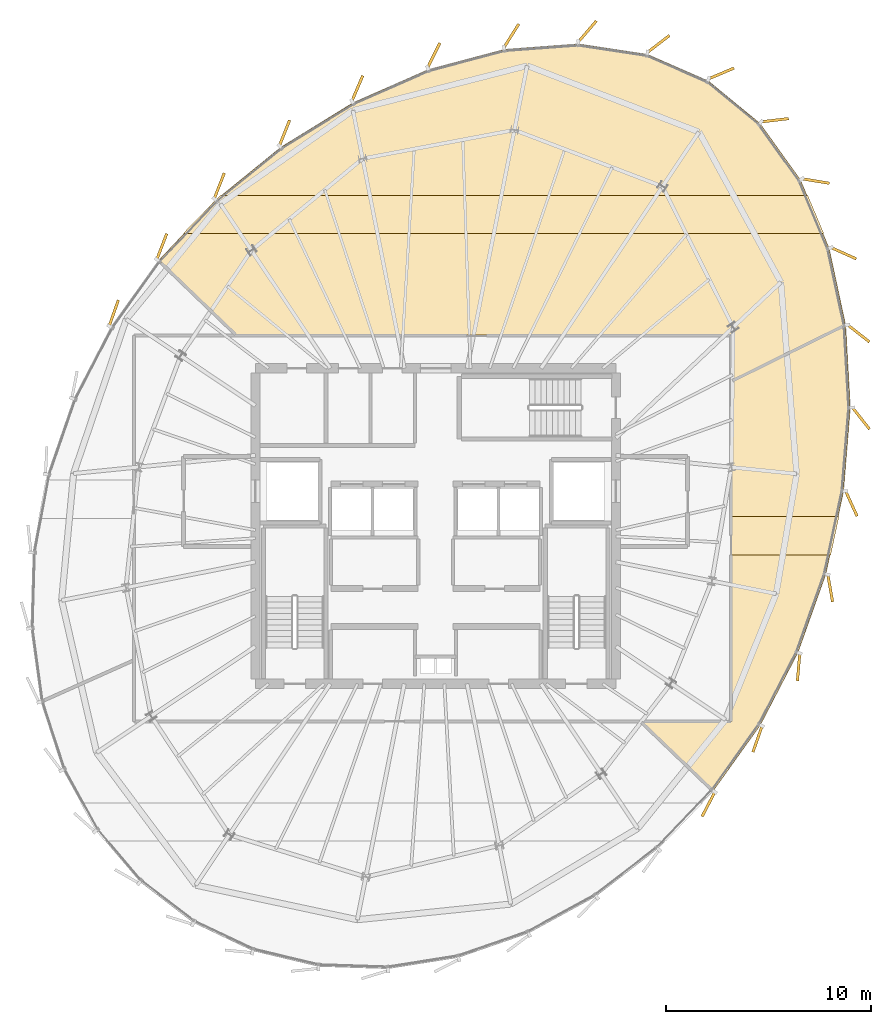
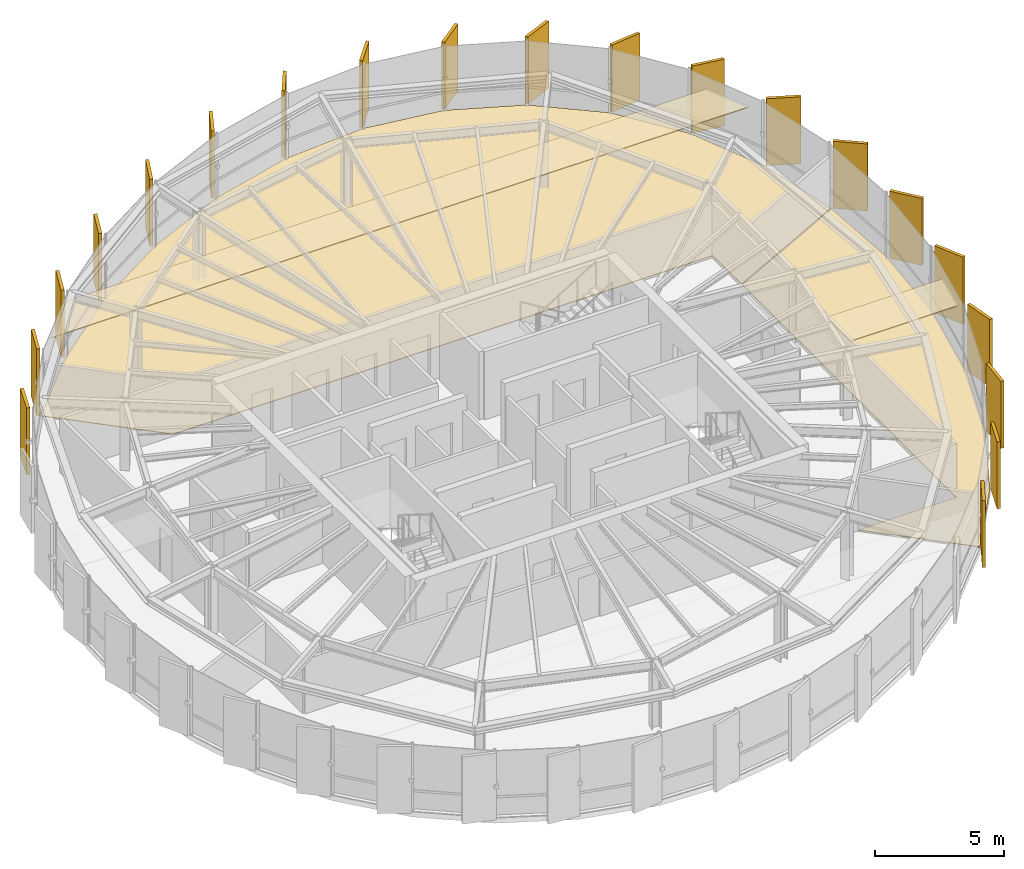
# One storey, part 31 of 31: 24 coverings.
"""IFC4 building model written with IfcOpenShell, lengths in metres."""

from ifc_helpers import new_model, si_unit, direction, frame, origin, origin_2d, place, context, subcontext, project, spatial, polyline, rectangle, outline, extrude, source, transform, mapped, material, layer, layer_set, type_object, element, save


model = new_model("IFC4")

# Units and contexts
model_context = context("Model", 3, precision=1e-05, world=origin(), true_north=direction((0.0, 1.0)))
body_context = subcontext(model_context, "Body", "Model", "MODEL_VIEW")
ifc_project = project(units=[si_unit("LENGTHUNIT", "METRE"), si_unit("AREAUNIT", "SQUARE_METRE"), si_unit("VOLUMEUNIT", "CUBIC_METRE"), si_unit("PLANEANGLEUNIT", "RADIAN"), si_unit("MASSUNIT", "GRAM", prefix="KILO"), si_unit("THERMODYNAMICTEMPERATUREUNIT", "KELVIN")], contexts=[model_context])

# Site, building, storey
site_placement = place(None, origin())
site = spatial("IfcSite", under=ifc_project, at=site_placement, CompositionType="ELEMENT")
building_placement = place(site_placement, origin())
building = spatial("IfcBuilding", under=site, at=building_placement, Name="Kethvar Cultural Tower", CompositionType="ELEMENT")
storey_placement = place(building_placement, frame((0.0, 0.0, 269.800048828125)))
storey = spatial("IfcBuildingStorey", under=building, at=storey_placement, Name="L71", CompositionType="ELEMENT", Elevation=269.800048828125)

# Coverings
ifc_material_1 = material(Name="Acoustic Mineral Fibre Ceiling")
ifc_layer_1 = layer(ifc_material_1, 0.0400390625, Name="Acoustic Mineral Fibre Ceiling")
ifc_layer_set_1 = layer_set([ifc_layer_1], Name="Acoustic Mineral Fibre Ceiling (40 mm)")
covering_type_1 = type_object("IfcCoveringType", Name="CV-ACOUSTIC-CEIL", PredefinedType="CEILING", material=ifc_layer_set_1)
covering_1_placement = place(storey_placement, frame((0.0, 0.0, 2.449951171875)))
element("IfcCovering", 1, at=covering_1_placement, inside=storey, type_object=covering_type_1, Name="L71 Room 02 Acoustic Ceiling Panel", PredefinedType="CEILING", context=body_context, shape_type="SweptSolid", body=[
    extrude(outline(polyline([(66.088134765625, 26.395263671875), (61.2060546875, 26.395263671875), (61.2060546875, 28.26513671875), (66.488525390625, 28.26513671875), (66.088134765625, 26.395263671875)])), origin(), (0.0, 0.0, 1.0), 0.0400390625),
])
covering_2_placement = place(storey_placement, frame((0.0, 0.0, 2.449951171875)))
element("IfcCovering", 2, at=covering_2_placement, inside=storey, type_object=covering_type_1, Name="L71 Room 03 Acoustic Ceiling Panel", PredefinedType="CEILING", context=body_context, shape_type="SweptSolid", body=[
    extrude(outline(polyline([(65.74755859375, 42.075927734375), (34.466796875, 42.075927734375), (36.296630859375, 43.946044921875), (64.962646484375, 43.946044921875), (65.74755859375, 42.075927734375)])), origin(), (0.0, 0.0, 1.0), 0.0400390625),
])
ifc_material_2 = material(Name="Architectural Oak Timber", Category="wood")
ifc_layer_2 = layer(ifc_material_2, 0.02490234375, Name="Architectural Oak Timber", Category="wood")
ifc_layer_set_2 = layer_set([ifc_layer_2], Name="Architectural Oak Timber (25 mm)")
covering_type_2 = type_object("IfcCoveringType", Name="CV-OAK-FLOOR", PredefinedType="FLOORING", material=ifc_layer_set_2)
covering_3_placement = place(storey_placement, origin())
element("IfcCovering", 3, at=covering_3_placement, inside=storey, type_object=covering_type_2, Name="L71 Room 02 Floor Finish", PredefinedType="FLOORING", context=body_context, shape_type="SweptSolid", body=[
    extrude(outline(polyline([(67.041015625, 33.583251953125), (66.7080078125, 29.481689453125), (65.84521484375, 25.4521484375), (64.4833984375, 21.624267578125), (62.64794921875, 18.08837890625), (60.36181640625, 14.8955078125), (56.844970703125, 18.2490234375), (61.2451171875, 18.26318359375), (61.24609375, 34.845703125), (66.81591796875, 37.57080078125), (67.041015625, 33.583251953125)])), origin(), (0.0, 0.0, 1.0), 0.02490234375),
])
covering_4_placement = place(storey_placement, origin())
element("IfcCovering", 4, at=covering_4_placement, inside=storey, type_object=covering_type_2, Name="L71 Room 03 Floor Finish", PredefinedType="FLOORING", context=body_context, shape_type="SweptSolid", body=[
    extrude(outline(polyline([(64.60498046875, 44.6943359375), (66.0048828125, 41.359375), (66.811279296875, 37.61328125), (61.24609375, 34.890380859375), (61.22802734375, 37.119873046875), (37.091064453125, 37.1201171875), (33.281982421875, 40.765625), (36.0615234375, 43.70361328125), (39.260498046875, 46.3017578125), (42.763671875, 48.46044921875), (46.445068359375, 50.081787109375), (50.16259765625, 51.067626953125), (53.76953125, 51.33447265625), (57.126708984375, 50.825439453125), (60.11181640625, 49.523193359375), (62.627685546875, 47.45458984375), (64.60498046875, 44.6943359375)])), origin(), (0.0, 0.0, 1.0), 0.02490234375),
])
ifc_material_3 = material(Name="Extruded Architectural Terracotta", Category="masonry")
ifc_layer_3 = layer(ifc_material_3, 0.135009765625, Name="Extruded Architectural Terracotta", Category="masonry")
ifc_layer_set_3 = layer_set([ifc_layer_3], Name="Extruded Architectural Terracotta (135 mm)")
covering_type_3 = type_object("IfcCoveringType", Name="Terracotta Facade Fin FIN-03", PredefinedType="CLADDING", material=ifc_layer_set_3)
shared_shape = source(origin(), body_context, "Body", "SweptSolid", [
    extrude(rectangle(XDim=1.35009765625, YDim=0.135009765625, at=origin_2d()), origin(), (0.0, 0.0, 1.0), 3.169921875),
])
for number, where, z_axis, x_axis, name in (
    (5, (60.7431640625, 49.891357421875, 0.02001953125), (0.0, 0.0, 1.0), (0.920709313603, 0.390249099737, 0.0), "L71 Vertical Terracotta Fin 1.1"),
    (6, (57.679443359375, 51.33544921875, 0.02001953125), (0.0, 0.0, 1.0), (0.792715411925, 0.609591892741, 0.0), "L71 Vertical Terracotta Fin 1.2"),
    (7, (54.204833984375, 51.94580078125, 0.02001953125), (0.0, 0.0, 1.0), (0.652363002904, 0.75790666473, 0.0), "L71 Vertical Terracotta Fin 1.3"),
    (8, (50.497802734375, 51.736083984375, 0.02001953125), (0.0, 0.0, 1.0), (0.532285391986, 0.846564977706, 0.0), "L71 Vertical Terracotta Fin 1.4"),
    (9, (46.707275390625, 50.778076171875, 0.02001953125), (0.0, 0.0, 1.0), (0.445885394908, 0.895090059495, 0.0), "L71 Vertical Terracotta Fin 1.5"),
    (10, (42.978515625, 49.166748046875, 0.02001953125), (0.0, 0.0, 1.0), (0.393941909591, 0.919135339255, 0.0), "L71 Vertical Terracotta Fin 1.6"),
    (11, (39.42138671875, 46.984375, 0.02001953125), (0.0, 0.0, 1.0), (0.371691915613, 0.928356138488, 0.0), "L71 Vertical Terracotta Fin 2.1"),
    (12, (36.236083984375, 44.401611328125, 0.02001953125), (0.0, 0.0, 1.0), (0.364714278886, 0.931119484694, 0.0), "L71 Vertical Terracotta Fin 2.2"),
    (13, (33.43115234375, 41.44140625, 0.02001953125), (0.0, 0.0, 1.0), (0.359345396006, 0.933204632634, 0.0), "L71 Vertical Terracotta Fin 2.3"),
    (14, (31.088134765625, 38.195556640625, 0.02001953125), (0.0, 0.0, 1.0), (0.331996503416, 0.943280616635, 0.0), "L71 Vertical Terracotta Fin 2.4"),
    (15, (60.116943359375, 14.22021484375, 0.02001953125), (0.0, 0.0, 1.0), (-0.46329603512, -0.886203579231, 0.0), "L71 Vertical Terracotta Fin 5.3"),
    (16, (62.511474609375, 17.404541015625, 0.02001953125), (0.0, 0.0, 1.0), (-0.332654956558, -0.943048609499, 0.0), "L71 Vertical Terracotta Fin 5.4"),
    (17, (64.51708984375, 20.9169921875, 0.02001953125), (0.0, 0.0, 1.0), (-0.089068137472, -0.996025535259, 0.0), "L71 Vertical Terracotta Fin 5.5"),
    (18, (66.058837890625, 24.764892578125, 0.02001953125), (0.0, 0.0, 1.0), (0.172101031672, -0.985079303862, 0.0), "L71 Vertical Terracotta Fin 5.6"),
    (19, (67.091064453125, 28.89404296875, 0.02001953125), (0.0, 0.0, 1.0), (0.415487175664, -0.909599036311, 0.0), "L71 Vertical Terracotta Fin 6.1"),
    (20, (67.56005859375, 33.058349609375, 0.02001953125), (0.0, 0.0, 1.0), (0.620737354217, -0.784018582101, 0.0), "L71 Vertical Terracotta Fin 6.2"),
    (21, (67.443603515625, 37.202392578125, 0.02001953125), (0.0, 0.0, 1.0), (0.7868273169, -0.617173211813, 0.0), "L71 Vertical Terracotta Fin 6.3"),
    (22, (66.71337890625, 41.118896484375, 0.02001953125), (0.0, 0.0, 1.0), (0.911690345728, -0.410877978854, 0.0), "L71 Vertical Terracotta Fin 6.4"),
    (23, (65.353759765625, 44.641357421875, 0.02001953125), (0.0, 0.0, 1.0), (0.986742655175, -0.162292736925, 0.0), "L71 Vertical Terracotta Fin 6.5"),
    (24, (63.36328125, 47.609619140625, 0.02001953125), (0.0, 0.0, 1.0), (0.993068456955, 0.117537397458, 0.0), "L71 Vertical Terracotta Fin 6.6"),
):
    element("IfcCovering", number, at=place(storey_placement, frame(where, z_axis=z_axis, x_axis=x_axis)), inside=storey, type_object=covering_type_3, Name=name, PredefinedType="CLADDING", context=body_context, shape_type="MappedRepresentation", body=[
        mapped(shared_shape, transform((0.0, 0.0, 0.0), scale=1.0)),
    ])

save(model, "model.ifc")
